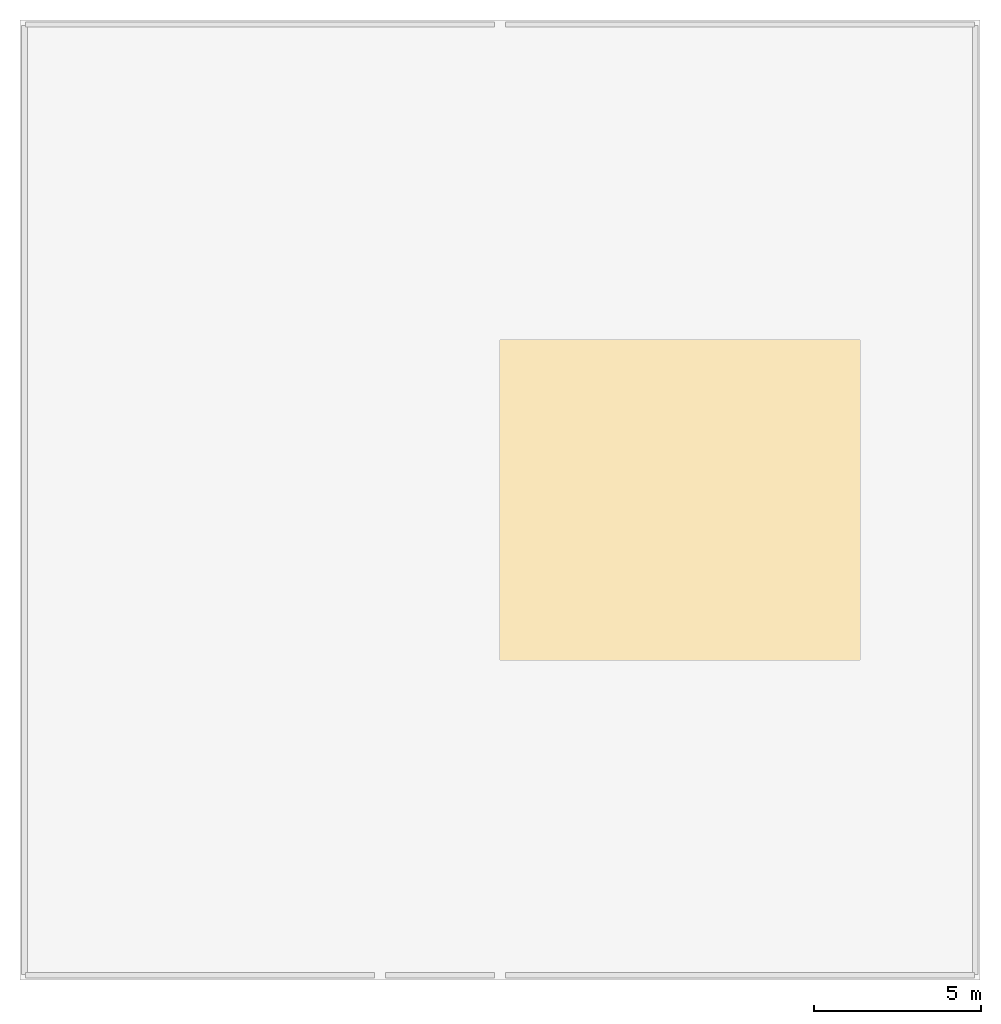
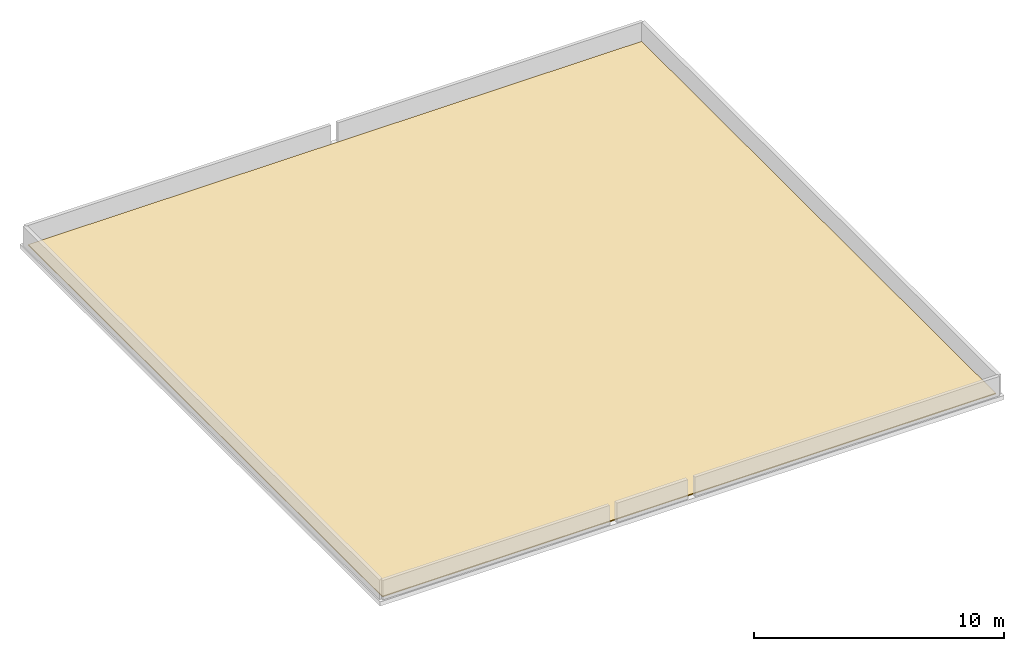
# One storey, part 2 of 2: 1 covering.
"""IFC4 building model written with IfcOpenShell, lengths in metres."""

from ifc_helpers import new_model, si_unit, direction, frame, origin, place, context, subcontext, project, spatial, polyline, outline, extrude, material, layer, layer_set, type_object, element, save


model = new_model("IFC4")

# Units and contexts
model_context = context("Model", 3, precision=1e-05, world=origin(), true_north=direction((0.0, 1.0)))
body_context = subcontext(model_context, "Body", "Model", "MODEL_VIEW")
ifc_project = project(units=[si_unit("LENGTHUNIT", "METRE"), si_unit("AREAUNIT", "SQUARE_METRE"), si_unit("VOLUMEUNIT", "CUBIC_METRE"), si_unit("PLANEANGLEUNIT", "RADIAN"), si_unit("MASSUNIT", "GRAM", prefix="KILO")], contexts=[model_context])

# Site, building, storey
site_placement = place(None, origin())
site = spatial("IfcSite", under=ifc_project, at=site_placement, CompositionType="ELEMENT")
building_placement = place(site_placement, origin())
building = spatial("IfcBuilding", under=site, at=building_placement, Name="Bramvelor Terrace Health Centre", CompositionType="ELEMENT")
storey_placement = place(building_placement, frame((0.0, 0.0, 25.5)))
storey = spatial("IfcBuildingStorey", under=building, at=storey_placement, Name="RF", CompositionType="ELEMENT", Elevation=25.5)

# Covering
ifc_material = material(Name="TPO standing-seam insulated roofing", Category="membrane")
ifc_layer = layer(ifc_material, 0.044921875)
ifc_layer_set = layer_set([ifc_layer], Name="TPO standing-seam insulated roofing")
covering_type = type_object("IfcCoveringType", Name="COV-ROOF-MEM", PredefinedType="ROOFING", material=ifc_layer_set)
covering_placement = place(storey_placement, origin())
element("IfcCovering", 1, at=covering_placement, inside=storey, type_object=covering_type, Name="RF Insulated Roof Membrane 11", PredefinedType="ROOFING", context=body_context, shape_type="SweptSolid", body=[
    extrude(outline(polyline([(28.56005859375, 114.9599609375), (28.56005859375, 86.639892578125), (0.239990234375, 86.639892578125), (0.239990234375, 114.9599609375), (28.56005859375, 114.9599609375)])), origin(), (0.0, 0.0, 1.0), 0.044921875),
])

save(model, "model.ifc")
